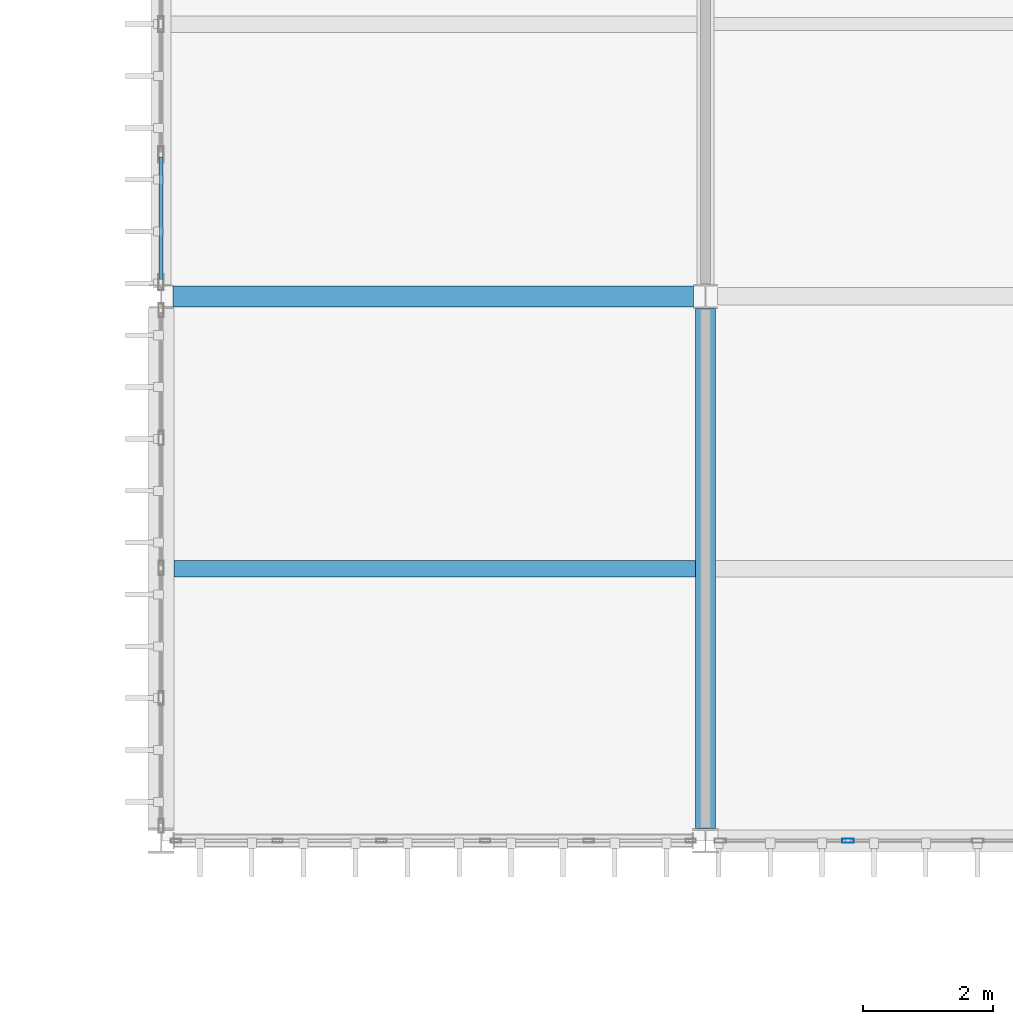
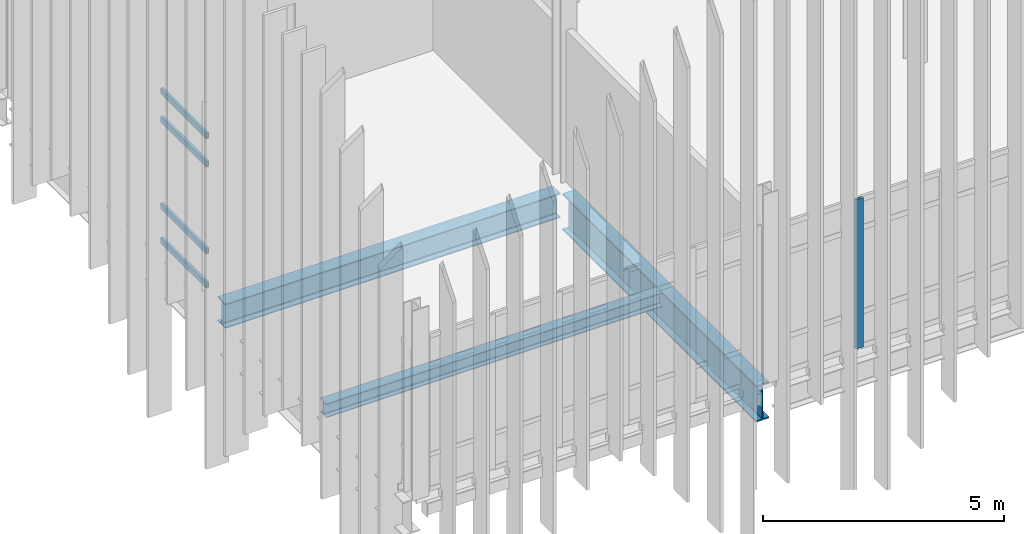
# One storey, part 17 of 153: 5 members, 3 beams, 2 elements without a shape of their own.
"""IFC4 building model written with IfcOpenShell, lengths in metres."""

from ifc_helpers import new_model, si_unit, direction, frame, origin, origin_2d, place, context, subcontext, project, spatial, hollow_rectangle, i_section, extrude, material, layer, layer_set, material_profile, profile_set, type_object, element, aggregate, save


model = new_model("IFC4")

# Units and contexts
model_context = context("Model", 3, precision=1e-05, world=origin(), true_north=direction((0.0, 1.0)))
body_context = subcontext(model_context, "Body", "Model", "MODEL_VIEW")
ifc_project = project(units=[si_unit("LENGTHUNIT", "METRE"), si_unit("AREAUNIT", "SQUARE_METRE"), si_unit("VOLUMEUNIT", "CUBIC_METRE"), si_unit("PLANEANGLEUNIT", "RADIAN"), si_unit("MASSUNIT", "GRAM", prefix="KILO")], contexts=[model_context])

# Site, building, storey
site_placement = place(None, origin())
site = spatial("IfcSite", under=ifc_project, at=site_placement, CompositionType="ELEMENT")
building_placement = place(site_placement, origin())
building = spatial("IfcBuilding", under=site, at=building_placement, Name="Calvrana Isthmian Art Gallery", CompositionType="ELEMENT")
storey_placement = place(building_placement, frame((0.0, 0.0, 10.199951171875)))
storey = spatial("IfcBuildingStorey", under=building, at=storey_placement, Name="L02", CompositionType="ELEMENT", Elevation=10.199951171875)

# Beams
ifc_material_1 = material(Name="Steel ASTM A992 Gr 50", Category="steel")
ifc_material_profile_1 = material_profile(ifc_material_1, i_section(OverallWidth=0.324951171875, OverallDepth=0.612060546875, WebThickness=0.0126953125, FlangeThickness=0.01904296875, FilletRadius=0.02197265625, at=origin_2d()), Name="W24X104")
ifc_profile_set_1 = profile_set([ifc_material_profile_1], Name="Steel ASTM A992 Gr 50")
beam_type_1 = type_object("IfcBeamType", Name="BM-G-W24X104", PredefinedType="BEAM", material=ifc_profile_set_1)
beam_1_placement = place(storey_placement, frame((21.78662109375, 30.0, -0.571044921875), z_axis=(1.0, 0.0, 0.0), x_axis=(0.0, 1.0, 0.0)))
element("IfcBeam", 1, at=beam_1_placement, inside=storey, type_object=beam_type_1, Name="Girder X L02 04-05/E", PredefinedType="BEAM", context=body_context, shape_type="SweptSolid", body=[
    extrude(i_section(OverallWidth=0.324951171875, OverallDepth=0.612060546875, WebThickness=0.0126953125, FlangeThickness=0.01904296875, FilletRadius=0.02197265625, at=origin_2d()), origin(), (0.0, 0.0, 1.0), 8.02685546875),
])
ifc_material_profile_2 = material_profile(ifc_material_1, i_section(OverallWidth=0.306884765625, OverallDepth=0.927001953125, WebThickness=0.019287109375, FlangeThickness=0.031982421875, FilletRadius=0.028076171875, at=origin_2d()), Name="W36X194")
ifc_profile_set_2 = profile_set([ifc_material_profile_2], Name="Steel ASTM A992 Gr 50")
beam_type_2 = type_object("IfcBeamType", Name="BM-G-W36X194", PredefinedType="BEAM", material=ifc_profile_set_2)
beam_2_placement = place(storey_placement, frame((30.0, 21.7880859375, -0.728515625), z_axis=(0.0, 1.0, 0.0), x_axis=(-1.0, 0.0, 0.0)))
element("IfcBeam", 2, at=beam_2_placement, inside=storey, type_object=beam_type_2, Name="Girder Y L02 05/D-E", PredefinedType="BEAM", context=body_context, shape_type="SweptSolid", body=[
    extrude(i_section(OverallWidth=0.306884765625, OverallDepth=0.927001953125, WebThickness=0.019287109375, FlangeThickness=0.031982421875, FilletRadius=0.028076171875, at=origin_2d()), origin(), (0.0, 0.0, 1.0), 8.02783203125),
])
ifc_material_profile_3 = material_profile(ifc_material_1, i_section(OverallWidth=0.25390625, OverallDepth=0.35302734375, WebThickness=0.009521484375, FlangeThickness=0.016357421875, FilletRadius=0.01806640625, at=origin_2d()), Name="W14X61")
ifc_profile_set_3 = profile_set([ifc_material_profile_3], Name="Steel ASTM A992 Gr 50")
beam_type_3 = type_object("IfcBeamType", Name="BM-J-W14X61", PredefinedType="JOIST", material=ifc_profile_set_3)
beam_3_placement = place(storey_placement, frame((21.800537109375, 25.800048828125, -0.44140625), z_axis=(1.0, 0.0, 0.0), x_axis=(0.0, 1.0, 0.0)))
element("IfcBeam", 3, at=beam_3_placement, inside=storey, type_object=beam_type_3, Name="Composite joist L02 bay 03-03", PredefinedType="JOIST", context=body_context, shape_type="SweptSolid", body=[
    extrude(i_section(OverallWidth=0.25390625, OverallDepth=0.35302734375, WebThickness=0.009521484375, FlangeThickness=0.016357421875, FilletRadius=0.01806640625, at=origin_2d()), origin(), (0.0, 0.0, 1.0), 8.0458984375),
])

# Curtain wall, member
ifc_material_2 = material(Name="Anodized bronze aluminium 6063-T6", Category="aluminium")
ifc_layer = layer(ifc_material_2, 0.179931640625, Name="Anodized bronze aluminium 6063-T6")
ifc_layer_set = layer_set([ifc_layer], Name="Anodized bronze aluminium 6063-T6")
curtain_wall_type = type_object("IfcCurtainWallType", Name="CW-UNIT-080X38", PredefinedType="USERDEFINED", material=ifc_layer_set)
curtain_wall_1_placement = place(storey_placement, origin())
curtain_wall_1 = element("IfcCurtainWall", 4, at=curtain_wall_1_placement, inside=storey, type_object=curtain_wall_type, Name="Curtain wall CW-146", ObjectType="UNITISED CURTAIN WALL", PredefinedType="USERDEFINED")
ifc_material_profile_4 = material_profile(ifc_material_2, hollow_rectangle(XDim=0.06494140625, YDim=0.179931640625, WallThickness=0.00439453125, at=origin_2d()), Name="CWM65X180")
ifc_profile_set_4 = profile_set([ifc_material_profile_4], Name="Anodized bronze aluminium 6063-T6")
member_type_1 = type_object("IfcMemberType", Name="CWM-CWM65X180", PredefinedType="MULLION", material=ifc_profile_set_4)
member_1_placement = place(storey_placement, frame((32.19921875, 21.60009765625, 0.0), z_axis=(0.0, 0.0, 1.0), x_axis=(0.0, -1.0, 0.0)))
member_1 = element("IfcMember", 5, at=member_1_placement, type_object=member_type_1, Name="CW-146 mullion 4", PredefinedType="MULLION", context=body_context, shape_type="SweptSolid", body=[
    extrude(hollow_rectangle(XDim=0.06494140625, YDim=0.179931640625, WallThickness=0.00439453125, at=origin_2d()), origin(), (0.0, 0.0, 1.0), 3.778076171875),
])
aggregate(curtain_wall_1, [member_1])

# Curtain wall, members
curtain_wall_2_placement = place(storey_placement, origin())
curtain_wall_2 = element("IfcCurtainWall", 6, at=curtain_wall_2_placement, inside=storey, type_object=curtain_wall_type, Name="Curtain wall CW-167", ObjectType="UNITISED CURTAIN WALL", PredefinedType="USERDEFINED")
ifc_material_profile_5 = material_profile(ifc_material_2, hollow_rectangle(XDim=0.06494140625, YDim=0.14990234375, WallThickness=0.00390625, at=origin_2d()), Name="CWT65X150")
ifc_profile_set_5 = profile_set([ifc_material_profile_5], Name="Anodized bronze aluminium 6063-T6")
member_type_2 = type_object("IfcMemberType", Name="CWT-CWT65X150", PredefinedType="USERDEFINED", material=ifc_profile_set_5)
member_2_placement = place(storey_placement, frame((21.60009765625, 30.258056640625, 0.032470703125), z_axis=(0.0, 1.0, 0.0), x_axis=(-1.0, 0.0, 0.0)))
member_2 = element("IfcMember", 7, at=member_2_placement, type_object=member_type_2, Name="CW-167 transom 1.1", ObjectType="TRANSOM", PredefinedType="USERDEFINED", context=body_context, shape_type="SweptSolid", body=[
    extrude(hollow_rectangle(XDim=0.06494140625, YDim=0.14990234375, WallThickness=0.00390625, at=origin_2d()), origin(), (0.0, 0.0, 1.0), 1.89013671875),
])
member_3_placement = place(storey_placement, frame((21.60009765625, 30.258056640625, 0.900146484375), z_axis=(0.0, 1.0, 0.0), x_axis=(-1.0, 0.0, 0.0)))
member_3 = element("IfcMember", 8, at=member_3_placement, type_object=member_type_2, Name="CW-167 transom 1.2", ObjectType="TRANSOM", PredefinedType="USERDEFINED", context=body_context, shape_type="SweptSolid", body=[
    extrude(hollow_rectangle(XDim=0.06494140625, YDim=0.14990234375, WallThickness=0.00390625, at=origin_2d()), origin(), (0.0, 0.0, 1.0), 1.89013671875),
])
member_4_placement = place(storey_placement, frame((21.60009765625, 30.258056640625, 3.09716796875), z_axis=(0.0, 1.0, 0.0), x_axis=(-1.0, 0.0, 0.0)))
member_4 = element("IfcMember", 9, at=member_4_placement, type_object=member_type_2, Name="CW-167 transom 1.3", ObjectType="TRANSOM", PredefinedType="USERDEFINED", context=body_context, shape_type="SweptSolid", body=[
    extrude(hollow_rectangle(XDim=0.06494140625, YDim=0.14990234375, WallThickness=0.00390625, at=origin_2d()), origin(), (0.0, 0.0, 1.0), 1.89013671875),
])
member_5_placement = place(storey_placement, frame((21.60009765625, 30.258056640625, 3.814453125), z_axis=(0.0, 1.0, 0.0), x_axis=(-1.0, 0.0, 0.0)))
member_5 = element("IfcMember", 10, at=member_5_placement, type_object=member_type_2, Name="CW-167 transom 1.4", ObjectType="TRANSOM", PredefinedType="USERDEFINED", context=body_context, shape_type="SweptSolid", body=[
    extrude(hollow_rectangle(XDim=0.06494140625, YDim=0.14990234375, WallThickness=0.00390625, at=origin_2d()), origin(), (0.0, 0.0, 1.0), 1.89013671875),
])
aggregate(curtain_wall_2, [member_2, member_3, member_4, member_5])

save(model, "model.ifc")
